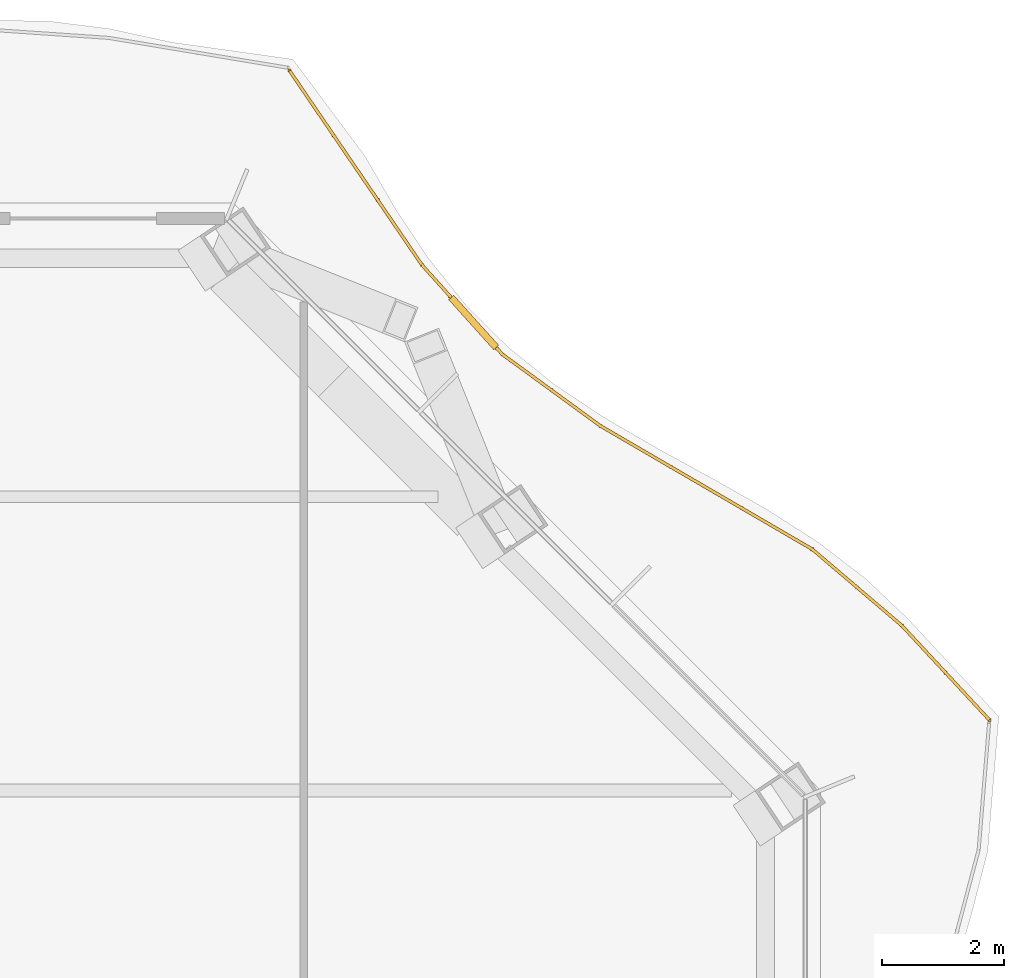
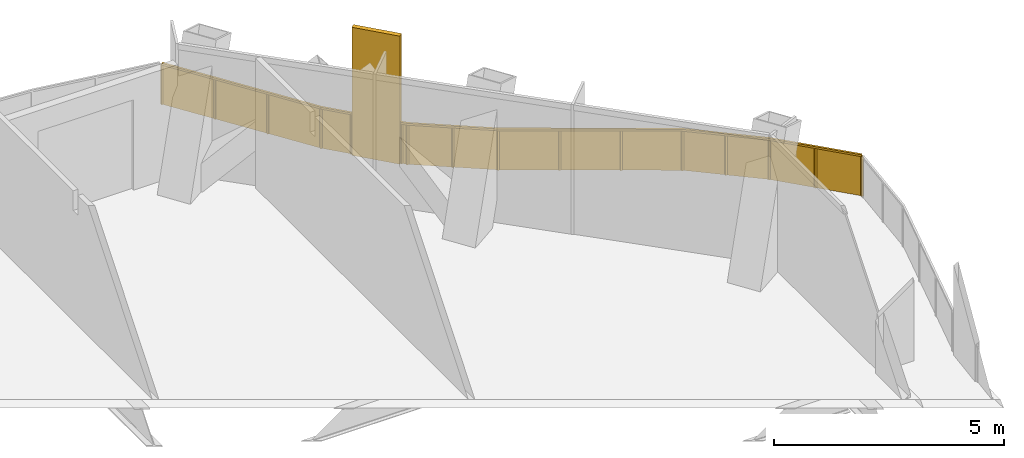
# One storey, part 22 of 22: 1 railing.
"""IFC4 building model written with IfcOpenShell, lengths in metres."""

from ifc_helpers import new_model, si_unit, direction, frame, origin, origin_2d, place, context, subcontext, project, spatial, polyline, rectangle, outline, extrude, material, type_object, element, save


model = new_model("IFC4")

# Units and contexts
model_context = context("Model", 3, precision=1e-05, world=origin(), true_north=direction((0.0, 1.0)))
body_context = subcontext(model_context, "Body", "Model", "MODEL_VIEW")
ifc_project = project(units=[si_unit("LENGTHUNIT", "METRE"), si_unit("AREAUNIT", "SQUARE_METRE"), si_unit("VOLUMEUNIT", "CUBIC_METRE"), si_unit("PLANEANGLEUNIT", "RADIAN"), si_unit("MASSUNIT", "GRAM", prefix="KILO")], contexts=[model_context])

# Site, building, storey
site_placement = place(None, origin())
site = spatial("IfcSite", under=ifc_project, at=site_placement, CompositionType="ELEMENT")
building_placement = place(site_placement, origin())
building = spatial("IfcBuilding", under=site, at=building_placement, Name="Cairn Pilgrim Tower", CompositionType="ELEMENT")
storey_placement = place(building_placement, frame((0.0, 0.0, 105.0)))
storey = spatial("IfcBuildingStorey", under=building, at=storey_placement, Name="L25", CompositionType="ELEMENT", Elevation=105.0)

# Railing
ifc_material = material(Name="Bronze anodised aluminium rail, posts and fin screens with laminated glass infill", Category="aluminium")
railing_type = type_object("IfcRailingType", Name="BALCONY GUARD WITH FIN SCREENS", PredefinedType="GUARDRAIL", material=ifc_material)
railing_placement = place(storey_placement, frame((36.673095703125, 18.96240234375, 0.0)))
element("IfcRailing", 1, at=railing_placement, inside=storey, type_object=railing_type, Name="Balcony guard BGF-4 with fin screens", PredefinedType="GUARDRAIL", context=body_context, shape_type="SweptSolid", body=[
    extrude(rectangle(XDim=0.050048828125, YDim=0.050048828125, at=origin_2d()), frame((0.0, 0.0, 1.0751953125), z_axis=(-0.680215173019, 0.733012495388, 0.0), x_axis=(-0.733012495388, -0.680215173019, 0.0)), (0.0, 0.0, 1.0), 2.10400390625),
    extrude(rectangle(XDim=0.050048828125, YDim=0.050048828125, at=origin_2d()), frame((-1.43115234375, 1.542236328125, 1.0751953125), z_axis=(-0.761099325728, 0.648635349311, 0.0), x_axis=(-0.648635349311, -0.761099325728, 0.0)), (0.0, 0.0, 1.0), 1.92333984375),
    extrude(rectangle(XDim=0.050048828125, YDim=0.050048828125, at=origin_2d()), frame((-2.89501953125, 2.789794921875, 1.0751953125), z_axis=(-0.86418309671, 0.503177478988, 0.0), x_axis=(-0.503177478988, -0.86418309671, 0.0)), (0.0, 0.0, 1.0), 4.00634765625),
    extrude(rectangle(XDim=0.050048828125, YDim=0.050048828125, at=origin_2d()), frame((-6.357177734375, 4.8056640625, 1.0751953125), z_axis=(-0.807879517433, 0.589347677787, 0.0), x_axis=(-0.589347677787, -0.807879517433, 0.0)), (0.0, 0.0, 1.0), 1.986328125),
    extrude(rectangle(XDim=1.10009765625, YDim=0.110107421875, at=origin_2d()), frame((-8.429931640625, 6.496826171875, 0.0), z_axis=(0.0, 0.0, 1.0), x_axis=(-0.668519118936, 0.743694956025, 0.0)), (0.0, 0.0, 1.0), 3.39990234375),
    extrude(rectangle(XDim=0.050048828125, YDim=0.050048828125, at=origin_2d()), frame((-7.9619140625, 5.976318359375, 1.0751953125), z_axis=(-0.668519118936, 0.743694956025, 0.0), x_axis=(-0.743694956025, -0.668519118936, 0.0)), (0.0, 0.0, 1.0), 0.14990234375),
    extrude(rectangle(XDim=0.050048828125, YDim=0.050048828125, at=origin_2d()), frame((-8.797607421875, 6.906005859375, 1.0751953125), z_axis=(-0.668519118936, 0.743694956025, 0.0), x_axis=(-0.743694956025, -0.668519118936, 0.0)), (0.0, 0.0, 1.0), 0.718017578125),
    extrude(rectangle(XDim=0.050048828125, YDim=0.050048828125, at=origin_2d()), frame((-9.277587890625, 7.43994140625, 1.0751953125), z_axis=(-0.563080289114, 0.826402195067, 0.0), x_axis=(-0.826402195067, -0.563080289114, 0.0)), (0.0, 0.0, 1.0), 3.83935546875),
    extrude(rectangle(XDim=0.050048828125, YDim=0.050048828125, at=origin_2d()), origin(), (0.0, 0.0, 1.0), 1.050048828125),
    extrude(rectangle(XDim=0.050048828125, YDim=0.050048828125, at=origin_2d()), frame((-0.715576171875, 0.77099609375, 0.0)), (0.0, 0.0, 1.0), 1.050048828125),
    extrude(rectangle(XDim=0.050048828125, YDim=0.050048828125, at=origin_2d()), frame((-1.43115234375, 1.542236328125, 0.0)), (0.0, 0.0, 1.0), 1.050048828125),
    extrude(rectangle(XDim=0.050048828125, YDim=0.050048828125, at=origin_2d()), frame((-2.1630859375, 2.166015625, 0.0)), (0.0, 0.0, 1.0), 1.050048828125),
    extrude(rectangle(XDim=0.050048828125, YDim=0.050048828125, at=origin_2d()), frame((-2.89501953125, 2.789794921875, 0.0)), (0.0, 0.0, 1.0), 1.050048828125),
    extrude(rectangle(XDim=0.050048828125, YDim=0.050048828125, at=origin_2d()), frame((-4.049072265625, 3.461669921875, 0.0)), (0.0, 0.0, 1.0), 1.050048828125),
    extrude(rectangle(XDim=0.050048828125, YDim=0.050048828125, at=origin_2d()), frame((-5.203125, 4.1337890625, 0.0)), (0.0, 0.0, 1.0), 1.050048828125),
    extrude(rectangle(XDim=0.050048828125, YDim=0.050048828125, at=origin_2d()), frame((-6.357177734375, 4.8056640625, 0.0)), (0.0, 0.0, 1.0), 1.050048828125),
    extrude(rectangle(XDim=0.050048828125, YDim=0.050048828125, at=origin_2d()), frame((-7.15966796875, 5.39111328125, 0.0)), (0.0, 0.0, 1.0), 1.050048828125),
    extrude(rectangle(XDim=0.050048828125, YDim=0.050048828125, at=origin_2d()), frame((-7.9619140625, 5.976318359375, 0.0)), (0.0, 0.0, 1.0), 1.050048828125),
    extrude(rectangle(XDim=0.050048828125, YDim=0.050048828125, at=origin_2d()), frame((-8.04541015625, 6.0693359375, 0.0)), (0.0, 0.0, 1.0), 1.050048828125),
    extrude(rectangle(XDim=0.050048828125, YDim=0.050048828125, at=origin_2d()), frame((-8.814208984375, 6.924560546875, 0.0)), (0.0, 0.0, 1.0), 1.050048828125),
    extrude(rectangle(XDim=0.050048828125, YDim=0.050048828125, at=origin_2d()), frame((-9.277587890625, 7.43994140625, 0.0)), (0.0, 0.0, 1.0), 1.050048828125),
    extrude(rectangle(XDim=0.050048828125, YDim=0.050048828125, at=origin_2d()), frame((-9.998291015625, 8.49755859375, 0.0)), (0.0, 0.0, 1.0), 1.050048828125),
    extrude(rectangle(XDim=0.050048828125, YDim=0.050048828125, at=origin_2d()), frame((-10.71875, 9.55517578125, 0.0)), (0.0, 0.0, 1.0), 1.050048828125),
    extrude(rectangle(XDim=0.050048828125, YDim=0.050048828125, at=origin_2d()), frame((-11.439453125, 10.61279296875, 0.0)), (0.0, 0.0, 1.0), 1.050048828125),
    extrude(outline(polyline([(0.02490234375, 0.0), (1.02685546875, 0.0), (1.02685546875, 1.050048828125), (0.02490234375, 1.050048828125), (0.02490234375, 0.0)])), frame((-0.00439453125, -0.004150390625, 0.0), z_axis=(0.733012495388, 0.680215173019, 0.0), x_axis=(-0.680215173019, 0.733012495388, 0.0)), (0.0, 0.0, 1.0), 0.011962890625),
    extrude(outline(polyline([(0.02490234375, 0.0), (1.02685546875, 0.0), (1.02685546875, 1.050048828125), (0.02490234375, 1.050048828125), (0.02490234375, 0.0)])), frame((-0.719970703125, 0.76708984375, 0.0), z_axis=(0.733012495388, 0.680215173019, 0.0), x_axis=(-0.680215173019, 0.733012495388, 0.0)), (0.0, 0.0, 1.0), 0.011962890625),
    extrude(outline(polyline([(0.02490234375, 0.0), (0.936767578125, 0.0), (0.936767578125, 1.050048828125), (0.02490234375, 1.050048828125), (0.02490234375, 0.0)])), frame((-1.43505859375, 1.53759765625, 0.0), z_axis=(0.648635349311, 0.761099325728, 0.0), x_axis=(-0.761099325728, 0.648635349311, 0.0)), (0.0, 0.0, 1.0), 0.011962890625),
    extrude(outline(polyline([(0.02490234375, 0.0), (0.936767578125, 0.0), (0.936767578125, 1.050048828125), (0.02490234375, 1.050048828125), (0.02490234375, 0.0)])), frame((-2.1669921875, 2.161376953125, 0.0), z_axis=(0.648635349311, 0.761099325728, 0.0), x_axis=(-0.761099325728, 0.648635349311, 0.0)), (0.0, 0.0, 1.0), 0.011962890625),
    extrude(outline(polyline([(0.02490234375, 0.0), (1.310302734375, 0.0), (1.310302734375, 1.050048828125), (0.02490234375, 1.050048828125), (0.02490234375, 0.0)])), frame((-2.89794921875, 2.78466796875, 0.0), z_axis=(0.503177478988, 0.86418309671, 0.0), x_axis=(-0.86418309671, 0.503177478988, 0.0)), (0.0, 0.0, 1.0), 0.011962890625),
    extrude(outline(polyline([(0.02490234375, 0.0), (1.310302734375, 0.0), (1.310302734375, 1.050048828125), (0.02490234375, 1.050048828125), (0.02490234375, 0.0)])), frame((-4.052001953125, 3.45654296875, 0.0), z_axis=(0.503177478988, 0.86418309671, 0.0), x_axis=(-0.86418309671, 0.503177478988, 0.0)), (0.0, 0.0, 1.0), 0.011962890625),
    extrude(outline(polyline([(0.02490234375, 0.0), (1.310302734375, 0.0), (1.310302734375, 1.050048828125), (0.02490234375, 1.050048828125), (0.02490234375, 0.0)])), frame((-5.2060546875, 4.12841796875, 0.0), z_axis=(0.503177478988, 0.86418309671, 0.0), x_axis=(-0.86418309671, 0.503177478988, 0.0)), (0.0, 0.0, 1.0), 0.011962890625),
    extrude(outline(polyline([(0.02490234375, 0.0), (0.96826171875, 0.0), (0.96826171875, 1.050048828125), (0.02490234375, 1.050048828125), (0.02490234375, 0.0)])), frame((-6.360595703125, 4.80078125, 0.0), z_axis=(0.589347677787, 0.807879517433, 0.0), x_axis=(-0.807879517433, 0.589347677787, 0.0)), (0.0, 0.0, 1.0), 0.011962890625),
    extrude(outline(polyline([(0.02490234375, 0.0), (0.96826171875, 0.0), (0.96826171875, 1.050048828125), (0.02490234375, 1.050048828125), (0.02490234375, 0.0)])), frame((-7.1630859375, 5.38623046875, 0.0), z_axis=(0.589347677787, 0.807879517433, 0.0), x_axis=(-0.807879517433, 0.589347677787, 0.0)), (0.0, 0.0, 1.0), 0.011962890625),
    extrude(outline(polyline([(0.02490234375, 0.0), (0.099853515625, 0.0), (0.099853515625, 1.050048828125), (0.02490234375, 1.050048828125), (0.02490234375, 0.0)])), frame((-7.96630859375, 5.972412109375, 0.0), z_axis=(0.743694956025, 0.668519118936, 0.0), x_axis=(-0.668519118936, 0.743694956025, 0.0)), (0.0, 0.0, 1.0), 0.011962890625),
    extrude(outline(polyline([(0.02490234375, 0.0), (0.66796875, 0.0), (0.66796875, 1.050048828125), (0.02490234375, 1.050048828125), (0.02490234375, 0.0)])), frame((-8.818603515625, 6.92041015625, 0.0), z_axis=(0.743694956025, 0.668519118936, 0.0), x_axis=(-0.668519118936, 0.743694956025, 0.0)), (0.0, 0.0, 1.0), 0.011962890625),
    extrude(outline(polyline([(0.02490234375, 0.0), (1.254638671875, 0.0), (1.254638671875, 1.050048828125), (0.02490234375, 1.050048828125), (0.02490234375, 0.0)])), frame((-9.282470703125, 7.4365234375, 0.0), z_axis=(0.826402195067, 0.563080289114, 0.0), x_axis=(-0.563080289114, 0.826402195067, 0.0)), (0.0, 0.0, 1.0), 0.011962890625),
    extrude(outline(polyline([(0.02490234375, 0.0), (1.254638671875, 0.0), (1.254638671875, 1.050048828125), (0.02490234375, 1.050048828125), (0.02490234375, 0.0)])), frame((-10.003173828125, 8.494140625, 0.0), z_axis=(0.826402195067, 0.563080289114, 0.0), x_axis=(-0.563080289114, 0.826402195067, 0.0)), (0.0, 0.0, 1.0), 0.011962890625),
    extrude(outline(polyline([(0.02490234375, 0.0), (1.254638671875, 0.0), (1.254638671875, 1.050048828125), (0.02490234375, 1.050048828125), (0.02490234375, 0.0)])), frame((-10.723876953125, 9.5517578125, 0.0), z_axis=(0.826402195067, 0.563080289114, 0.0), x_axis=(-0.563080289114, 0.826402195067, 0.0)), (0.0, 0.0, 1.0), 0.011962890625),
])

save(model, "model.ifc")
